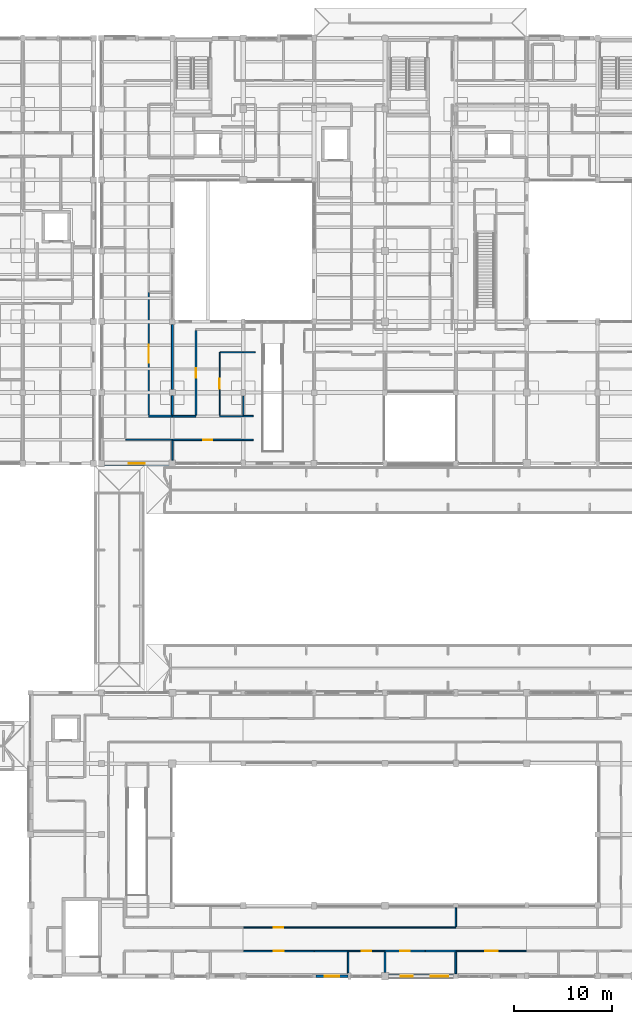
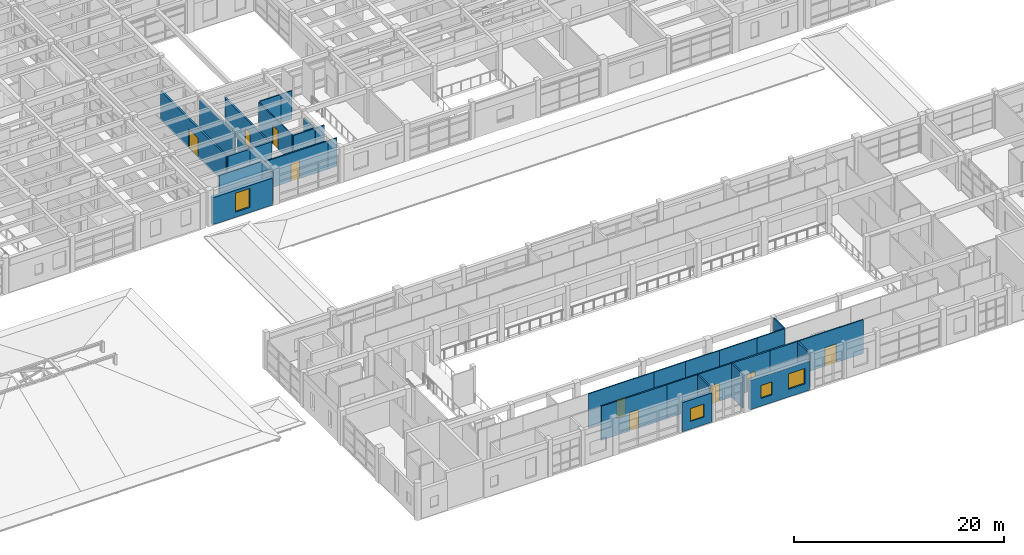
# One storey, part 76 of 110: 34 walls, 9 doors, 4 windows, 13 openings.
"""IFC4 building model written with IfcOpenShell, lengths in metres."""

import ifcopenshell
import ifcopenshell.guid

model = None  # the IFC model being written
_history = None  # IfcOwnerHistory: only IFC2X3 demands one
_inside = {}  # id of a spatial element -> (the spatial element, [elements in it])
_under = {}  # id of a project, library or spatial element -> (it, [spatial elements below it])
_declared = {}  # id of a project -> (the project, [libraries it declares])
_typed = {}  # id of a type object -> (the type object, [elements of that type])
_made_of = {}  # id of a material, layer set ... -> (it, [elements and type objects made of it])


def new_model(schema):
    """Start an empty IFC model of exactly this schema.

    Asked for "IFC4X3", IfcOpenShell would pick the latest addendum, in which some entities
    have other attributes; the version numbers below select the first issue.
    IFC2X3 requires an IfcOwnerHistory on every rooted entity: one is made here for all.
    """
    global model, _history
    if schema == "IFC4X3":
        model = ifcopenshell.file(schema_version=(4, 3, 0, 0))
    else:
        model = ifcopenshell.file(schema=schema)
    _inside.clear()
    _under.clear()
    _declared.clear()
    _typed.clear()
    _made_of.clear()
    _history = None
    if model.schema == "IFC2X3":
        org = make("IfcOrganization", Name="unknown")
        user = make(
            "IfcPersonAndOrganization",
            ThePerson=make("IfcPerson", FamilyName="unknown"),
            TheOrganization=org,
        )
        app = make(
            "IfcApplication",
            ApplicationDeveloper=org,
            Version="unknown",
            ApplicationFullName="unknown",
            ApplicationIdentifier="unknown",
        )
        _history = make(
            "IfcOwnerHistory",
            OwningUser=user,
            OwningApplication=app,
            ChangeAction="ADDED",
            CreationDate=0,
        )
    return model


def make(cls, **values):
    """One entity of the class cls with the attributes given. An attribute that is None is left unset."""
    return model.create_entity(
        cls, **{name: value for name, value in values.items() if value is not None}
    )


def rooted(cls, **values):
    """An entity with a GlobalId (a new one), such as an element, a storey or a relation."""
    return make(cls, GlobalId=ifcopenshell.guid.new(), OwnerHistory=_history, **values)


def si_unit(unit_type, name, prefix=None):
    """IfcSIUnit, for example si_unit("LENGTHUNIT", "METRE", prefix="MILLI")."""
    return make("IfcSIUnit", UnitType=unit_type, Prefix=prefix, Name=name)


def assignment(units):
    """IfcUnitAssignment: the units of a project."""
    return None if units is None else make("IfcUnitAssignment", Units=units)


def point(xyz):
    """IfcCartesianPoint."""
    return None if xyz is None else make("IfcCartesianPoint", Coordinates=xyz)


def direction(xyz):
    """IfcDirection."""
    return None if xyz is None else make("IfcDirection", DirectionRatios=xyz)


def frame(location, z_axis=None, x_axis=None):
    """IfcAxis2Placement3D, a coordinate frame: its origin and axes. An axis left out is left unset."""
    return make(
        "IfcAxis2Placement3D",
        Location=point(location),
        Axis=direction(z_axis),
        RefDirection=direction(x_axis),
    )


def frame_2d(location, x_axis=None):
    """IfcAxis2Placement2D, a coordinate frame in the plane: its origin and x axis."""
    return make(
        "IfcAxis2Placement2D", Location=point(location), RefDirection=direction(x_axis)
    )


def origin():
    """The frame at (0, 0, 0) with its axes left unset."""
    return frame((0.0, 0.0, 0.0))


def place(relative_to, where):
    """IfcLocalPlacement: puts the frame where relative to a parent placement (None: the world)."""
    return make(
        "IfcLocalPlacement", PlacementRelTo=relative_to, RelativePlacement=where
    )


def context(
    kind, dimensions, precision=None, world=None, true_north=None, identifier=None
):
    """IfcGeometricRepresentationContext, for example the 3D "Model" context."""
    return make(
        "IfcGeometricRepresentationContext",
        ContextIdentifier=identifier,
        ContextType=kind,
        CoordinateSpaceDimension=dimensions,
        Precision=precision,
        WorldCoordinateSystem=world,
        TrueNorth=true_north,
    )


def subcontext(parent, identifier, kind, view, scale=None):
    """IfcGeometricRepresentationSubContext, for example "Body" below "Model"."""
    return make(
        "IfcGeometricRepresentationSubContext",
        ContextIdentifier=identifier,
        ContextType=kind,
        ParentContext=parent,
        TargetScale=scale,
        TargetView=view,
    )


def project(units=None, contexts=None):
    """IfcProject with its units and contexts."""
    return rooted(
        "IfcProject",
        Name="project",
        RepresentationContexts=contexts,
        UnitsInContext=assignment(units),
    )


def spatial(cls, under=None, at=None, **own):
    """A site, building, storey or space (cls), placed at a placement, below another one or the project."""
    s = rooted(cls, ObjectPlacement=at, **own)
    if under is not None:
        _under.setdefault(under.id(), (under, []))[1].append(s)
    return s


def profile(cls, at=None, kind="AREA", **sizes):
    """A parametric profile (cls). Its sizes go by their IFC names, for example OverallWidth=200.0."""
    return make(cls, ProfileType=kind, Position=at, **sizes)


def rectangle(**sizes):
    """IfcRectangleProfileDef."""
    return profile("IfcRectangleProfileDef", **sizes)


def extrude(swept, where, along, depth):
    """IfcExtrudedAreaSolid: the profile swept, set in the frame where, extruded along a direction by depth."""
    return make(
        "IfcExtrudedAreaSolid",
        SweptArea=swept,
        Position=where,
        ExtrudedDirection=direction(along),
        Depth=depth,
    )


def shape(context_of_items, identifier, shape_type, items):
    """IfcShapeRepresentation: the items that make up one representation, for example the "Body"."""
    return make(
        "IfcShapeRepresentation",
        ContextOfItems=context_of_items,
        RepresentationIdentifier=identifier,
        RepresentationType=shape_type,
        Items=items,
    )


def material(Name=None, Category=None):
    """IfcMaterial."""
    return make("IfcMaterial", Name=Name, Category=Category)


def layer(
    of_material, thickness, ventilated=None, Name=None, Category=None, Priority=None
):
    """IfcMaterialLayer: one layer of a wall or slab, of a material (None: an air gap)."""
    return make(
        "IfcMaterialLayer",
        Material=of_material,
        LayerThickness=thickness,
        IsVentilated=ventilated,
        Name=Name,
        Category=Category,
        Priority=Priority,
    )


def layer_set(layers, Name=None):
    """IfcMaterialLayerSet."""
    return make("IfcMaterialLayerSet", MaterialLayers=layers, LayerSetName=Name)


def made_of(thing, what):
    """Note that an element or type object is made of a material, layer set ...; save() writes the relation."""
    if what is not None:
        _made_of.setdefault(what.id(), (what, []))[1].append(thing)
    return thing


def type_object(cls, material=None, **own):
    """A type object (cls), such as IfcWallType, which elements share."""
    return made_of(rooted(cls, **own), material)


def element(
    cls,
    number,
    at=None,
    inside=None,
    cuts=None,
    type_object=None,
    material=None,
    context=None,
    identifier="Body",
    shape_type=None,
    held_by="IfcProductDefinitionShape",
    body=None,
    shapes=None,
    **own,
):
    """One element of the class cls, such as IfcWall. Its Tag is "e" and its number.

    at: its placement. inside: the storey or other place that contains it. cuts: it is an
    opening in that element (IfcRelVoidsElement). A single representation is given by context,
    identifier, shape_type and body (its items); several are given by shapes. held_by: the class
    of the entity that holds the representations. save() writes the other relations.
    """
    e = rooted(cls, Tag="e%d" % number, ObjectPlacement=at, **own)
    if body is not None:
        shapes = [shape(context, identifier, shape_type, body)]
    if shapes is not None:
        e.Representation = make(held_by, Representations=shapes)
    if inside is not None:
        _inside.setdefault(inside.id(), (inside, []))[1].append(e)
    if cuts is not None:
        rooted(
            "IfcRelVoidsElement", RelatingBuildingElement=cuts, RelatedOpeningElement=e
        )
    if type_object is not None:
        _typed.setdefault(type_object.id(), (type_object, []))[1].append(e)
    return made_of(e, material)


def fill(opening, filler):
    """IfcRelFillsElement: the door or window that sits in an opening."""
    return rooted(
        "IfcRelFillsElement",
        RelatingOpeningElement=opening,
        RelatedBuildingElement=filler,
    )


def aggregate(whole, parts):
    """IfcRelAggregates: a whole, such as a stair, and the parts it consists of."""
    return rooted("IfcRelAggregates", RelatingObject=whole, RelatedObjects=parts)


def save(model, path):
    """Write the relations noted so far, then the file.

    IfcRelAggregates (storeys below a building ...), IfcRelContainedInSpatialStructure (elements
    in a storey), IfcRelDefinesByType, IfcRelAssociatesMaterial and IfcRelDeclares: one each for
    every whole, place, type object, material and project.
    """
    for whole, parts in _under.values():
        aggregate(whole, parts)
    for where, things in _inside.values():
        rooted(
            "IfcRelContainedInSpatialStructure",
            RelatedElements=things,
            RelatingStructure=where,
        )
    for kind, things in _typed.values():
        rooted("IfcRelDefinesByType", RelatedObjects=things, RelatingType=kind)
    for what, things in _made_of.values():
        rooted("IfcRelAssociatesMaterial", RelatedObjects=things, RelatingMaterial=what)
    for by, libraries in _declared.values():
        rooted("IfcRelDeclares", RelatingContext=by, RelatedDefinitions=libraries)
    model.write(path)


model = new_model("IFC4")

# Units and contexts
model_context = context("Model", 3, precision=1e-05, world=origin(), true_north=direction((0.0, 1.0)))
body_context = subcontext(model_context, "Body", "Model", "MODEL_VIEW")
ifc_project = project(units=[si_unit("LENGTHUNIT", "METRE"), si_unit("AREAUNIT", "SQUARE_METRE"), si_unit("VOLUMEUNIT", "CUBIC_METRE"), si_unit("PLANEANGLEUNIT", "RADIAN"), si_unit("MASSUNIT", "GRAM", prefix="KILO")], contexts=[model_context])

# Site, building, storey
site_placement = place(None, origin())
site = spatial("IfcSite", under=ifc_project, at=site_placement, CompositionType="ELEMENT")
building_placement = place(site_placement, origin())
building = spatial("IfcBuilding", under=site, at=building_placement, Name="Steenspoor Specialist Clinic", CompositionType="ELEMENT")
storey_placement = place(building_placement, frame((0.0, 0.0, 4.800048828125)))
storey = spatial("IfcBuildingStorey", under=building, at=storey_placement, Name="L01", CompositionType="ELEMENT", Elevation=4.800048828125)

# Wall, openings, windows
ifc_material_1 = material(Name="Extruded clay brick masonry", Category="masonry")
ifc_layer_1 = layer(ifc_material_1, 0.3798828125)
ifc_layer_set_1 = layer_set([ifc_layer_1], Name="Extruded clay brick masonry")
wall_type_1 = type_object("IfcWallType", Name="W-BRICK-380", PredefinedType="USERDEFINED", material=ifc_layer_set_1)
wall_1_placement = place(storey_placement, frame((88.14990234375, 13.050048828125, 0.0), z_axis=(0.0, 0.0, 1.0), x_axis=(-1.0, 0.0, 0.0)))
wall_1 = element("IfcWall", 1, at=wall_1_placement, inside=storey, type_object=wall_type_1, Name="Exterior Brick Wall EW-V1-L01-0021", ObjectType="CAVITY VENEER", PredefinedType="USERDEFINED", context=body_context, shape_type="SweptSolid", body=[
    extrude(rectangle(XDim=6.574951171875, YDim=0.3798828125, at=frame_2d((3.28759765625, 0.0))), origin(), (0.0, 0.0, 1.0), 3.3798828125),
])
opening_1_placement = place(wall_1_placement, frame((0.514892578125, 0.0, 0.89990234375)))
opening_1 = element("IfcOpeningElement", 2, at=opening_1_placement, cuts=wall_1, Name="Opening WN-08", PredefinedType="OPENING", context=body_context, shape_type="SweptSolid", body=[
    extrude(rectangle(XDim=1.800048828125, YDim=1.800048828125, at=frame_2d((0.89990234375, 0.89990234375))), frame((0.0, 0.199951171875, 0.0), z_axis=(0.0, -1.0, 0.0), x_axis=(1.0, 0.0, 0.0)), (0.0, 0.0, 1.0), 0.39990234375),
])
opening_2_placement = place(wall_1_placement, frame((4.12255859375, 0.0, 0.89990234375)))
opening_2 = element("IfcOpeningElement", 3, at=opening_2_placement, cuts=wall_1, Name="Opening WN-11", PredefinedType="OPENING", context=body_context, shape_type="SweptSolid", body=[
    extrude(rectangle(XDim=1.199951171875, YDim=1.5, at=frame_2d((0.60009765625, 0.75))), frame((0.0, 0.199951171875, 0.0), z_axis=(0.0, -1.0, 0.0), x_axis=(1.0, 0.0, 0.0)), (0.0, 0.0, 1.0), 0.39990234375),
])
ifc_material_2 = material(Name="Thermally broken aluminium and low-emissivity glass", Category="aluminium")
window_type_1 = type_object("IfcWindowType", Name="WN-EXT-120X150", PartitioningType="SINGLE_PANEL", PredefinedType="WINDOW", material=ifc_material_2)
window_1_placement = place(opening_2_placement, origin())
window_1 = element("IfcWindow", 4, at=window_1_placement, inside=storey, type_object=window_type_1, Name="Window 0024", OverallHeight=1.5, OverallWidth=1.199951171875, PartitioningType="SINGLE_PANEL", PredefinedType="WINDOW", context=body_context, shape_type="SweptSolid", body=[
    extrude(rectangle(XDim=1.199951171875, YDim=1.5, at=frame_2d((0.60009765625, 0.75))), frame((0.0, 0.030029296875, 0.0), z_axis=(0.0, -1.0, 0.0), x_axis=(1.0, 0.0, 0.0)), (0.0, 0.0, 1.0), 0.06005859375),
])
fill(opening_2, window_1)
window_type_2 = type_object("IfcWindowType", Name="WN-EXT-180X180", PartitioningType="SINGLE_PANEL", PredefinedType="WINDOW", material=ifc_material_2)
window_2_placement = place(opening_1_placement, origin())
window_2 = element("IfcWindow", 5, at=window_2_placement, inside=storey, type_object=window_type_2, Name="Window 0023", OverallHeight=1.800048828125, OverallWidth=1.800048828125, PartitioningType="SINGLE_PANEL", PredefinedType="WINDOW", context=body_context, shape_type="SweptSolid", body=[
    extrude(rectangle(XDim=1.800048828125, YDim=1.800048828125, at=frame_2d((0.89990234375, 0.89990234375))), frame((0.0, 0.030029296875, 0.0), z_axis=(0.0, -1.0, 0.0), x_axis=(1.0, 0.0, 0.0)), (0.0, 0.0, 1.0), 0.06005859375),
])
fill(opening_1, window_2)

# Wall, opening, window
wall_2_placement = place(storey_placement, frame((59.27490234375, 65.14990234375, 0.0), z_axis=(0.0, 0.0, 1.0), x_axis=(-1.0, 0.0, 0.0)))
wall_2 = element("IfcWall", 6, at=wall_2_placement, inside=storey, type_object=wall_type_1, Name="Exterior Brick Wall EW-V4-L01-0113", ObjectType="CAVITY VENEER", PredefinedType="USERDEFINED", context=body_context, shape_type="SweptSolid", body=[
    extrude(rectangle(XDim=6.574951171875, YDim=0.3798828125, at=frame_2d((3.28759765625, 0.0))), origin(), (0.0, 0.0, 1.0), 3.1298828125),
])
opening_3_placement = place(wall_2_placement, frame((2.487548828125, 0.0, 0.60009765625)))
opening_3 = element("IfcOpeningElement", 7, at=opening_3_placement, cuts=wall_2, Name="Opening WN-16", PredefinedType="OPENING", context=body_context, shape_type="SweptSolid", body=[
    extrude(rectangle(XDim=1.60009765625, YDim=2.199951171875, at=frame_2d((0.800048828125, 1.10009765625))), frame((0.0, 0.199951171875, 0.0), z_axis=(0.0, -1.0, 0.0), x_axis=(1.0, 0.0, 0.0)), (0.0, 0.0, 1.0), 0.39990234375),
])
window_type_3 = type_object("IfcWindowType", Name="WN-EXT-160X220", PartitioningType="SINGLE_PANEL", PredefinedType="WINDOW", material=ifc_material_2)
window_3_placement = place(opening_3_placement, origin())
window_3 = element("IfcWindow", 8, at=window_3_placement, inside=storey, type_object=window_type_3, Name="Window 0135", OverallHeight=2.199951171875, OverallWidth=1.60009765625, PartitioningType="SINGLE_PANEL", PredefinedType="WINDOW", context=body_context, shape_type="SweptSolid", body=[
    extrude(rectangle(XDim=1.60009765625, YDim=2.199951171875, at=frame_2d((0.800048828125, 1.10009765625))), frame((0.0, 0.030029296875, 0.0), z_axis=(0.0, -1.0, 0.0), x_axis=(1.0, 0.0, 0.0)), (0.0, 0.0, 1.0), 0.06005859375),
])
fill(opening_3, window_3)

# Wall, opening, door
ifc_material_3 = material(Name="Gypsum acoustic clinical partition", Category="gypsum")
ifc_layer_2 = layer(ifc_material_3, 0.14990234375)
ifc_layer_set_2 = layer_set([ifc_layer_2], Name="Gypsum acoustic clinical partition")
wall_type_2 = type_object("IfcWallType", Name="W-CLIN-150", PredefinedType="PARTITIONING", material=ifc_layer_set_2)
wall_3_placement = place(storey_placement, frame((66.81494140625, 15.610107421875, 0.0), z_axis=(0.0, 0.0, 1.0), x_axis=(1.0, 0.0, 0.0)))
wall_3 = element("IfcWall", 9, at=wall_3_placement, inside=storey, type_object=wall_type_2, Name="Interior Partition IW-V1-L01-0829", PredefinedType="PARTITIONING", context=body_context, shape_type="SweptSolid", body=[
    extrude(rectangle(XDim=7.18505859375, YDim=0.14990234375, at=frame_2d((3.592529296875, 0.0))), origin(), (0.0, 0.0, 1.0), 3.949951171875),
])
opening_4_placement = place(wall_3_placement, frame((3.092529296875, 0.0, 0.0)))
opening_4 = element("IfcOpeningElement", 10, at=opening_4_placement, cuts=wall_3, Name="Opening D0053", PredefinedType="OPENING", context=body_context, shape_type="SweptSolid", body=[
    extrude(rectangle(XDim=1.0, YDim=2.14990234375, at=frame_2d((0.5, 1.074951171875))), frame((0.0, 0.0849609375, 0.0), z_axis=(0.0, -1.0, 0.0), x_axis=(1.0, 0.0, 0.0)), (0.0, 0.0, 1.0), 0.169921875),
])
ifc_material_4 = material(Name="Moisture-resistant HPL accessible WC door", Category="wood")
door_type_1 = type_object("IfcDoorType", Name="DT-AWC-100X215", OperationType="NOTDEFINED", PredefinedType="DOOR", material=ifc_material_4)
door_1_placement = place(opening_4_placement, origin())
door_1 = element("IfcDoor", 11, at=door_1_placement, inside=storey, type_object=door_type_1, Name="Clinical Door D0053", OperationType="SINGLE_SWING_RIGHT", OverallHeight=2.14990234375, OverallWidth=1.0, PredefinedType="DOOR", context=body_context, shape_type="SweptSolid", body=[
    extrude(rectangle(XDim=1.0, YDim=2.14990234375, at=frame_2d((0.5, 1.074951171875))), frame((0.0, 0.02490234375, 0.0), z_axis=(0.0, -1.0, 0.0), x_axis=(1.0, 0.0, 0.0)), (0.0, 0.0, 1.0), 0.050048828125),
])
fill(opening_4, door_1)

# Walls
wall_4_placement = place(storey_placement, frame((74.014892578125, 15.610107421875, 0.0), z_axis=(0.0, 0.0, 1.0), x_axis=(1.0, 0.0, 0.0)))
element("IfcWall", 12, at=wall_4_placement, inside=storey, type_object=wall_type_2, Name="Interior Partition IW-V1-L01-0830", PredefinedType="PARTITIONING", context=body_context, shape_type="SweptSolid", body=[
    extrude(rectangle(XDim=3.43505859375, YDim=0.14990234375, at=frame_2d((1.717529296875, 0.0))), origin(), (0.0, 0.0, 1.0), 3.949951171875),
])
for number, where, z_axis, x_axis, name in (
    (13, (66.800048828125, 67.550048828125, 0.0), (0.0, 0.0, 1.0), (1.0, 0.0, 0.0), "Interior Partition IW-V4-L01-0880"),
    (14, (66.800048828125, 69.949951171875, 0.0), (0.0, 0.0, 1.0), (1.0, 0.0, 0.0), "Interior Partition IW-V4-L01-0881"),
):
    element("IfcWall", number, at=place(storey_placement, frame(where, z_axis=z_axis, x_axis=x_axis)), inside=storey, type_object=wall_type_2, Name=name, PredefinedType="PARTITIONING", context=body_context, shape_type="SweptSolid", body=[
        extrude(rectangle(XDim=1.0, YDim=0.14990234375, at=frame_2d((0.5, 0.0))), origin(), (0.0, 0.0, 1.0), 3.284912109375),
    ])

# Wall, opening, door
wall_5_placement = place(storey_placement, frame((59.60009765625, 67.550048828125, 0.0), z_axis=(0.0, 0.0, 1.0), x_axis=(1.0, 0.0, 0.0)))
wall_5 = element("IfcWall", 15, at=wall_5_placement, inside=storey, type_object=wall_type_2, Name="Interior Partition IW-V4-L01-0882", PredefinedType="PARTITIONING", context=body_context, shape_type="SweptSolid", body=[
    extrude(rectangle(XDim=7.184814453125, YDim=0.14990234375, at=frame_2d((3.59228515625, 0.0))), origin(), (0.0, 0.0, 1.0), 3.284912109375),
])
opening_5_placement = place(wall_5_placement, frame((3.117431640625, 0.0, 0.0)))
opening_5 = element("IfcOpeningElement", 16, at=opening_5_placement, cuts=wall_5, Name="Opening D0192", PredefinedType="OPENING", context=body_context, shape_type="SweptSolid", body=[
    extrude(rectangle(XDim=0.949951171875, YDim=2.10009765625, at=frame_2d((0.47509765625, 1.050048828125))), frame((0.0, 0.0849609375, 0.0), z_axis=(0.0, -1.0, 0.0), x_axis=(1.0, 0.0, 0.0)), (0.0, 0.0, 1.0), 0.169921875),
])
ifc_material_5 = material(Name="Moisture-resistant HPL sanitary door", Category="wood")
door_type_2 = type_object("IfcDoorType", Name="DT-WC-095X210", OperationType="NOTDEFINED", PredefinedType="DOOR", material=ifc_material_5)
door_2_placement = place(opening_5_placement, origin())
door_2 = element("IfcDoor", 17, at=door_2_placement, inside=storey, type_object=door_type_2, Name="Clinical Door D0192", OperationType="SINGLE_SWING_LEFT", OverallHeight=2.10009765625, OverallWidth=0.949951171875, PredefinedType="DOOR", context=body_context, shape_type="SweptSolid", body=[
    extrude(rectangle(XDim=0.949951171875, YDim=2.10009765625, at=frame_2d((0.47509765625, 1.050048828125))), frame((0.0, 0.02490234375, 0.0), z_axis=(0.0, -1.0, 0.0), x_axis=(1.0, 0.0, 0.0)), (0.0, 0.0, 1.0), 0.050048828125),
])
fill(opening_5, door_2)

# Walls
wall_6_placement = place(storey_placement, frame((77.449951171875, 13.375, 0.0), z_axis=(0.0, 0.0, 1.0), x_axis=(0.0, 1.0, 0.0)))
element("IfcWall", 18, at=wall_6_placement, inside=storey, type_object=wall_type_2, Name="Interior Partition IW-V1-L01-1150", PredefinedType="PARTITIONING", context=body_context, shape_type="SweptSolid", body=[
    extrude(rectangle(XDim=2.14501953125, YDim=0.14990234375, at=frame_2d((1.072509765625, 0.0))), origin(), (0.0, 0.0, 1.0), 3.949951171875),
])
wall_7_placement = place(storey_placement, frame((88.39990234375, 18.10009765625, 0.0), z_axis=(0.0, 0.0, 1.0), x_axis=(0.0, 1.0, 0.0)))
element("IfcWall", 19, at=wall_7_placement, inside=storey, type_object=wall_type_2, Name="Interior Partition IW-V1-L01-1157", PredefinedType="PARTITIONING", context=body_context, shape_type="SweptSolid", body=[
    extrude(rectangle(XDim=1.909912109375, YDim=0.14990234375, at=frame_2d((0.955078125, 0.0))), origin(), (0.0, 0.0, 1.0), 3.949951171875),
])
wall_8_placement = place(storey_placement, frame((59.60009765625, 65.489990234375, 0.0), z_axis=(0.0, 0.0, 1.0), x_axis=(0.0, 1.0, 0.0)))
element("IfcWall", 20, at=wall_8_placement, inside=storey, type_object=wall_type_2, Name="Interior Partition IW-V4-L01-1180", PredefinedType="PARTITIONING", context=body_context, shape_type="SweptSolid", body=[
    extrude(rectangle(XDim=1.969970703125, YDim=0.14990234375, at=frame_2d((0.98486328125, 0.0))), origin(), (0.0, 0.0, 1.0), 3.4150390625),
])
wall_9_placement = place(storey_placement, frame((66.800048828125, 70.0400390625, 0.0), z_axis=(0.0, 0.0, 1.0), x_axis=(0.0, 1.0, 0.0)))
element("IfcWall", 21, at=wall_9_placement, inside=storey, type_object=wall_type_2, Name="Interior Partition IW-V4-L01-1182", PredefinedType="PARTITIONING", context=body_context, shape_type="SweptSolid", body=[
    extrude(rectangle(XDim=1.9599609375, YDim=0.14990234375, at=frame_2d((0.97998046875, 0.0))), origin(), (0.0, 0.0, 1.0), 3.284912109375),
])

# Wall, opening, door
ifc_material_6 = material(Name="Gypsum studio partition board", Category="gypsum")
ifc_layer_3 = layer(ifc_material_6, 0.1201171875)
ifc_layer_set_3 = layer_set([ifc_layer_3], Name="Gypsum studio partition board")
wall_type_3 = type_object("IfcWallType", Name="W-PART-120", PredefinedType="PARTITIONING", material=ifc_layer_set_3)
wall_10_placement = place(storey_placement, frame((77.465087890625, 15.610107421875, 0.0), z_axis=(0.0, 0.0, 1.0), x_axis=(1.0, 0.0, 0.0)))
wall_10 = element("IfcWall", 22, at=wall_10_placement, inside=storey, type_object=wall_type_3, Name="Interior Partition IW-V1-L01-0936", PredefinedType="PARTITIONING", context=body_context, shape_type="SweptSolid", body=[
    extrude(rectangle(XDim=3.719970703125, YDim=0.1201171875, at=frame_2d((1.85986328125, 0.0))), origin(), (0.0, 0.0, 1.0), 3.949951171875),
])
opening_6_placement = place(wall_10_placement, frame((1.385009765625, 0.0, 0.0)))
opening_6 = element("IfcOpeningElement", 23, at=opening_6_placement, cuts=wall_10, Name="Opening D0054", PredefinedType="OPENING", context=body_context, shape_type="SweptSolid", body=[
    extrude(rectangle(XDim=0.949951171875, YDim=2.10009765625, at=frame_2d((0.47509765625, 1.050048828125))), frame((0.0, 0.070068359375, 0.0), z_axis=(0.0, -1.0, 0.0), x_axis=(1.0, 0.0, 0.0)), (0.0, 0.0, 1.0), 0.14013671875),
])
door_3_placement = place(opening_6_placement, origin())
door_3 = element("IfcDoor", 24, at=door_3_placement, inside=storey, type_object=door_type_2, Name="Clinical Door D0054", OperationType="SINGLE_SWING_LEFT", OverallHeight=2.10009765625, OverallWidth=0.949951171875, PredefinedType="DOOR", context=body_context, shape_type="SweptSolid", body=[
    extrude(rectangle(XDim=0.949951171875, YDim=2.10009765625, at=frame_2d((0.47509765625, 1.050048828125))), frame((0.0, 0.02490234375, 0.0), z_axis=(0.0, -1.0, 0.0), x_axis=(1.0, 0.0, 0.0)), (0.0, 0.0, 1.0), 0.050048828125),
])
fill(opening_6, door_3)

wall_11_placement = place(storey_placement, frame((88.4150390625, 15.610107421875, 0.0), z_axis=(0.0, 0.0, 1.0), x_axis=(1.0, 0.0, 0.0)))
wall_11 = element("IfcWall", 25, at=wall_11_placement, inside=storey, type_object=wall_type_3, Name="Interior Partition IW-V1-L01-0937", PredefinedType="PARTITIONING", context=body_context, shape_type="SweptSolid", body=[
    extrude(rectangle(XDim=7.18505859375, YDim=0.1201171875, at=frame_2d((3.592529296875, 0.0))), origin(), (0.0, 0.0, 1.0), 3.949951171875),
])
opening_7_placement = place(wall_11_placement, frame((2.967529296875, 0.0, 0.0)))
opening_7 = element("IfcOpeningElement", 26, at=opening_7_placement, cuts=wall_11, Name="Opening D0056", PredefinedType="OPENING", context=body_context, shape_type="SweptSolid", body=[
    extrude(rectangle(XDim=1.25, YDim=2.14990234375, at=frame_2d((0.625, 1.074951171875))), frame((0.0, 0.070068359375, 0.0), z_axis=(0.0, -1.0, 0.0), x_axis=(1.0, 0.0, 0.0)), (0.0, 0.0, 1.0), 0.14013671875),
])
ifc_material_7 = material(Name="Hygienic HPL clinical timber door", Category="wood")
door_type_3 = type_object("IfcDoorType", Name="DT-EXAM-125X215", OperationType="NOTDEFINED", PredefinedType="DOOR", material=ifc_material_7)
door_4_placement = place(opening_7_placement, origin())
door_4 = element("IfcDoor", 27, at=door_4_placement, inside=storey, type_object=door_type_3, Name="Clinical Door D0056", OperationType="SINGLE_SWING_LEFT", OverallHeight=2.14990234375, OverallWidth=1.25, PredefinedType="DOOR", context=body_context, shape_type="SweptSolid", body=[
    extrude(rectangle(XDim=1.25, YDim=2.14990234375, at=frame_2d((0.625, 1.074951171875))), frame((0.0, 0.02490234375, 0.0), z_axis=(0.0, -1.0, 0.0), x_axis=(1.0, 0.0, 0.0)), (0.0, 0.0, 1.0), 0.050048828125),
])
fill(opening_7, door_4)

# Walls
wall_12_placement = place(storey_placement, frame((85.300048828125, 18.010009765625, 0.0), z_axis=(0.0, 0.0, 1.0), x_axis=(1.0, 0.0, 0.0)))
element("IfcWall", 28, at=wall_12_placement, inside=storey, type_object=wall_type_3, Name="Interior Partition IW-V1-L01-0939", PredefinedType="PARTITIONING", context=body_context, shape_type="SweptSolid", body=[
    extrude(rectangle(XDim=3.0849609375, YDim=0.1201171875, at=frame_2d((1.54248046875, 0.0))), origin(), (0.0, 0.0, 1.0), 3.949951171875),
])
wall_13_placement = place(storey_placement, frame((81.199951171875, 18.010009765625, 0.0), z_axis=(0.0, 0.0, 1.0), x_axis=(1.0, 0.0, 0.0)))
element("IfcWall", 29, at=wall_13_placement, inside=storey, type_object=wall_type_3, Name="Interior Partition IW-V1-L01-0940", PredefinedType="PARTITIONING", context=body_context, shape_type="SweptSolid", body=[
    extrude(rectangle(XDim=4.0849609375, YDim=0.1201171875, at=frame_2d((2.04248046875, 0.0))), origin(), (0.0, 0.0, 1.0), 3.949951171875),
])
wall_14_placement = place(storey_placement, frame((77.449951171875, 18.010009765625, 0.0), z_axis=(0.0, 0.0, 1.0), x_axis=(1.0, 0.0, 0.0)))
element("IfcWall", 30, at=wall_14_placement, inside=storey, type_object=wall_type_3, Name="Interior Partition IW-V1-L01-0941", PredefinedType="PARTITIONING", context=body_context, shape_type="SweptSolid", body=[
    extrude(rectangle(XDim=3.735107421875, YDim=0.1201171875, at=frame_2d((1.86767578125, 0.0))), origin(), (0.0, 0.0, 1.0), 3.949951171875),
])
wall_15_placement = place(storey_placement, frame((74.0, 18.010009765625, 0.0), z_axis=(0.0, 0.0, 1.0), x_axis=(1.0, 0.0, 0.0)))
element("IfcWall", 31, at=wall_15_placement, inside=storey, type_object=wall_type_3, Name="Interior Partition IW-V1-L01-0942", PredefinedType="PARTITIONING", context=body_context, shape_type="SweptSolid", body=[
    extrude(rectangle(XDim=3.43505859375, YDim=0.1201171875, at=frame_2d((1.717529296875, 0.0))), origin(), (0.0, 0.0, 1.0), 3.949951171875),
])

# Wall, opening, door
wall_16_placement = place(storey_placement, frame((66.800048828125, 18.010009765625, 0.0), z_axis=(0.0, 0.0, 1.0), x_axis=(1.0, 0.0, 0.0)))
wall_16 = element("IfcWall", 32, at=wall_16_placement, inside=storey, type_object=wall_type_3, Name="Interior Partition IW-V1-L01-0943", PredefinedType="PARTITIONING", context=body_context, shape_type="SweptSolid", body=[
    extrude(rectangle(XDim=7.18505859375, YDim=0.1201171875, at=frame_2d((3.592529296875, 0.0))), origin(), (0.0, 0.0, 1.0), 3.949951171875),
])
opening_8_placement = place(wall_16_placement, frame((3.117431640625, 0.0, 0.0)))
opening_8 = element("IfcOpeningElement", 33, at=opening_8_placement, cuts=wall_16, Name="Opening D0060", PredefinedType="OPENING", context=body_context, shape_type="SweptSolid", body=[
    extrude(rectangle(XDim=0.949951171875, YDim=2.10009765625, at=frame_2d((0.47509765625, 1.050048828125))), frame((0.0, 0.070068359375, 0.0), z_axis=(0.0, -1.0, 0.0), x_axis=(1.0, 0.0, 0.0)), (0.0, 0.0, 1.0), 0.14013671875),
])
door_5_placement = place(opening_8_placement, origin())
door_5 = element("IfcDoor", 34, at=door_5_placement, inside=storey, type_object=door_type_2, Name="Clinical Door D0060", OperationType="SINGLE_SWING_LEFT", OverallHeight=2.10009765625, OverallWidth=0.949951171875, PredefinedType="DOOR", context=body_context, shape_type="SweptSolid", body=[
    extrude(rectangle(XDim=0.949951171875, YDim=2.10009765625, at=frame_2d((0.47509765625, 1.050048828125))), frame((0.0, 0.02490234375, 0.0), z_axis=(0.0, -1.0, 0.0), x_axis=(1.0, 0.0, 0.0)), (0.0, 0.0, 1.0), 0.050048828125),
])
fill(opening_8, door_5)

# Walls
wall_17_placement = place(storey_placement, frame((54.875, 67.550048828125, 0.0), z_axis=(0.0, 0.0, 1.0), x_axis=(1.0, 0.0, 0.0)))
element("IfcWall", 35, at=wall_17_placement, inside=storey, type_object=wall_type_3, Name="Interior Partition IW-V4-L01-0976", PredefinedType="PARTITIONING", context=body_context, shape_type="SweptSolid", body=[
    extrude(rectangle(XDim=4.7099609375, YDim=0.1201171875, at=frame_2d((2.35498046875, 0.0))), origin(), (0.0, 0.0, 1.0), 3.4150390625),
])
wall_18_placement = place(storey_placement, frame((66.800048828125, 76.449951171875, 0.0), z_axis=(0.0, 0.0, 1.0), x_axis=(1.0, 0.0, 0.0)))
element("IfcWall", 36, at=wall_18_placement, inside=storey, type_object=wall_type_3, Name="Interior Partition IW-V4-L01-0984", PredefinedType="PARTITIONING", context=body_context, shape_type="SweptSolid", body=[
    extrude(rectangle(XDim=1.199951171875, YDim=0.1201171875, at=frame_2d((0.60009765625, 0.0))), origin(), (0.0, 0.0, 1.0), 3.284912109375),
])
wall_19_placement = place(storey_placement, frame((64.39990234375, 69.949951171875, 0.0), z_axis=(0.0, 0.0, 1.0), x_axis=(1.0, 0.0, 0.0)))
element("IfcWall", 37, at=wall_19_placement, inside=storey, type_object=wall_type_3, Name="Interior Partition IW-V4-L01-0986", PredefinedType="PARTITIONING", context=body_context, shape_type="SweptSolid", body=[
    extrude(rectangle(XDim=2.385009765625, YDim=0.1201171875, at=frame_2d((1.1923828125, 0.0))), origin(), (0.0, 0.0, 1.0), 3.284912109375),
])

# Wall, opening, door
wall_20_placement = place(storey_placement, frame((64.39990234375, 70.02490234375, 0.0), z_axis=(0.0, 0.0, 1.0), x_axis=(0.0, 1.0, 0.0)))
wall_20 = element("IfcWall", 38, at=wall_20_placement, inside=storey, type_object=wall_type_3, Name="Interior Partition IW-V4-L01-0987", PredefinedType="PARTITIONING", context=body_context, shape_type="SweptSolid", body=[
    extrude(rectangle(XDim=6.425048828125, YDim=0.1201171875, at=frame_2d((3.21240234375, 0.0))), origin(), (0.0, 0.0, 1.0), 3.21484375),
])
opening_9_placement = place(wall_20_placement, frame((2.71240234375, 0.0, 0.0)))
opening_9 = element("IfcOpeningElement", 39, at=opening_9_placement, cuts=wall_20, Name="Opening D0203", PredefinedType="OPENING", context=body_context, shape_type="SweptSolid", body=[
    extrude(rectangle(XDim=1.0, YDim=2.14990234375, at=frame_2d((0.5, 1.074951171875))), frame((0.0, 0.070068359375, 0.0), z_axis=(0.0, -1.0, 0.0), x_axis=(1.0, 0.0, 0.0)), (0.0, 0.0, 1.0), 0.14013671875),
])
door_6_placement = place(opening_9_placement, origin())
door_6 = element("IfcDoor", 40, at=door_6_placement, inside=storey, type_object=door_type_1, Name="Clinical Door D0203", OperationType="SINGLE_SWING_RIGHT", OverallHeight=2.14990234375, OverallWidth=1.0, PredefinedType="DOOR", context=body_context, shape_type="SweptSolid", body=[
    extrude(rectangle(XDim=1.0, YDim=2.14990234375, at=frame_2d((0.5, 1.074951171875))), frame((0.0, 0.02490234375, 0.0), z_axis=(0.0, -1.0, 0.0), x_axis=(1.0, 0.0, 0.0)), (0.0, 0.0, 1.0), 0.050048828125),
])
fill(opening_9, door_6)

# Wall
wall_21_placement = place(storey_placement, frame((64.47509765625, 76.449951171875, 0.0), z_axis=(0.0, 0.0, 1.0), x_axis=(1.0, 0.0, 0.0)))
element("IfcWall", 41, at=wall_21_placement, inside=storey, type_object=wall_type_3, Name="Interior Partition IW-V4-L01-0988", PredefinedType="PARTITIONING", context=body_context, shape_type="SweptSolid", body=[
    extrude(rectangle(XDim=2.309814453125, YDim=0.1201171875, at=frame_2d((1.15478515625, 0.0))), origin(), (0.0, 0.0, 1.0), 3.284912109375),
])

# Wall, opening, door
ifc_material_8 = material(Name="Moisture-resistant gypsum plumbing wall", Category="gypsum")
ifc_layer_4 = layer(ifc_material_8, 0.179931640625)
ifc_layer_set_4 = layer_set([ifc_layer_4], Name="Moisture-resistant gypsum plumbing wall")
wall_type_4 = type_object("IfcWallType", Name="W-PLUMB-180", PredefinedType="PLUMBINGWALL", material=ifc_layer_set_4)
wall_22_placement = place(storey_placement, frame((81.199951171875, 15.610107421875, 0.0), z_axis=(0.0, 0.0, 1.0), x_axis=(1.0, 0.0, 0.0)))
wall_22 = element("IfcWall", 42, at=wall_22_placement, inside=storey, type_object=wall_type_4, Name="Interior Partition IW-V1-L01-0738", PredefinedType="PLUMBINGWALL", context=body_context, shape_type="SweptSolid", body=[
    extrude(rectangle(XDim=4.10009765625, YDim=0.179931640625, at=frame_2d((2.050048828125, 0.0))), origin(), (0.0, 0.0, 1.0), 3.949951171875),
])
opening_10_placement = place(wall_22_placement, frame((1.574951171875, 0.0, 0.0)))
opening_10 = element("IfcOpeningElement", 43, at=opening_10_placement, cuts=wall_22, Name="Opening D0055", PredefinedType="OPENING", context=body_context, shape_type="SweptSolid", body=[
    extrude(rectangle(XDim=0.949951171875, YDim=2.10009765625, at=frame_2d((0.47509765625, 1.050048828125))), frame((0.0, 0.10009765625, 0.0), z_axis=(0.0, -1.0, 0.0), x_axis=(1.0, 0.0, 0.0)), (0.0, 0.0, 1.0), 0.199951171875),
])
door_7_placement = place(opening_10_placement, origin())
door_7 = element("IfcDoor", 44, at=door_7_placement, inside=storey, type_object=door_type_2, Name="Clinical Door D0055", OperationType="SINGLE_SWING_RIGHT", OverallHeight=2.10009765625, OverallWidth=0.949951171875, PredefinedType="DOOR", context=body_context, shape_type="SweptSolid", body=[
    extrude(rectangle(XDim=0.949951171875, YDim=2.10009765625, at=frame_2d((0.47509765625, 1.050048828125))), frame((0.0, 0.02490234375, 0.0), z_axis=(0.0, -1.0, 0.0), x_axis=(1.0, 0.0, 0.0)), (0.0, 0.0, 1.0), 0.050048828125),
])
fill(opening_10, door_7)

# Walls
wall_23_placement = place(storey_placement, frame((85.31494140625, 15.610107421875, 0.0), z_axis=(0.0, 0.0, 1.0), x_axis=(1.0, 0.0, 0.0)))
element("IfcWall", 45, at=wall_23_placement, inside=storey, type_object=wall_type_4, Name="Interior Partition IW-V1-L01-0739", PredefinedType="PLUMBINGWALL", context=body_context, shape_type="SweptSolid", body=[
    extrude(rectangle(XDim=3.0849609375, YDim=0.179931640625, at=frame_2d((1.54248046875, 0.0))), origin(), (0.0, 0.0, 1.0), 3.949951171875),
])
wall_24_placement = place(storey_placement, frame((59.60009765625, 69.949951171875, 0.0), z_axis=(0.0, 0.0, 1.0), x_axis=(1.0, 0.0, 0.0)))
element("IfcWall", 46, at=wall_24_placement, inside=storey, type_object=wall_type_4, Name="Interior Partition IW-V4-L01-0760", PredefinedType="PLUMBINGWALL", context=body_context, shape_type="SweptSolid", body=[
    extrude(rectangle(XDim=2.39990234375, YDim=0.179931640625, at=frame_2d((1.199951171875, 0.0))), origin(), (0.0, 0.0, 1.0), 3.4150390625),
])

# Wall, opening, door
wall_25_placement = place(storey_placement, frame((62.0, 70.054931640625, 0.0), z_axis=(0.0, 0.0, 1.0), x_axis=(0.0, 1.0, 0.0)))
wall_25 = element("IfcWall", 47, at=wall_25_placement, inside=storey, type_object=wall_type_4, Name="Interior Partition IW-V4-L01-0762", PredefinedType="PLUMBINGWALL", context=body_context, shape_type="SweptSolid", body=[
    extrude(rectangle(XDim=8.590087890625, YDim=0.179931640625, at=frame_2d((4.294921875, 0.0))), origin(), (0.0, 0.0, 1.0), 3.21484375),
])
opening_11_placement = place(wall_25_placement, frame((3.820068359375, 0.0, 0.0)))
opening_11 = element("IfcOpeningElement", 48, at=opening_11_placement, cuts=wall_25, Name="Opening D0202", PredefinedType="OPENING", context=body_context, shape_type="SweptSolid", body=[
    extrude(rectangle(XDim=0.949951171875, YDim=2.10009765625, at=frame_2d((0.47509765625, 1.050048828125))), frame((0.0, 0.10009765625, 0.0), z_axis=(0.0, -1.0, 0.0), x_axis=(1.0, 0.0, 0.0)), (0.0, 0.0, 1.0), 0.199951171875),
])
door_8_placement = place(opening_11_placement, origin())
door_8 = element("IfcDoor", 49, at=door_8_placement, inside=storey, type_object=door_type_2, Name="Clinical Door D0202", OperationType="SINGLE_SWING_LEFT", OverallHeight=2.10009765625, OverallWidth=0.949951171875, PredefinedType="DOOR", context=body_context, shape_type="SweptSolid", body=[
    extrude(rectangle(XDim=0.949951171875, YDim=2.10009765625, at=frame_2d((0.47509765625, 1.050048828125))), frame((0.0, 0.02490234375, 0.0), z_axis=(0.0, -1.0, 0.0), x_axis=(1.0, 0.0, 0.0)), (0.0, 0.0, 1.0), 0.050048828125),
])
fill(opening_11, door_8)

# Walls
wall_26_placement = place(storey_placement, frame((81.199951171875, 13.43994140625, 0.0), z_axis=(0.0, 0.0, 1.0), x_axis=(0.0, 1.0, 0.0)))
element("IfcWall", 50, at=wall_26_placement, inside=storey, type_object=wall_type_4, Name="Interior Partition IW-V1-L01-1072", PredefinedType="PLUMBINGWALL", context=body_context, shape_type="SweptSolid", body=[
    extrude(rectangle(XDim=2.06494140625, YDim=0.179931640625, at=frame_2d((1.032470703125, 0.0))), origin(), (0.0, 0.0, 1.0), 3.949951171875),
])
wall_27_placement = place(storey_placement, frame((88.39990234375, 13.31494140625, 0.0), z_axis=(0.0, 0.0, 1.0), x_axis=(0.0, 1.0, 0.0)))
element("IfcWall", 51, at=wall_27_placement, inside=storey, type_object=wall_type_4, Name="Interior Partition IW-V1-L01-1073", PredefinedType="PLUMBINGWALL", context=body_context, shape_type="SweptSolid", body=[
    extrude(rectangle(XDim=2.18994140625, YDim=0.179931640625, at=frame_2d((1.094970703125, 0.0))), origin(), (0.0, 0.0, 1.0), 3.949951171875),
])
wall_28_placement = place(storey_placement, frame((59.60009765625, 70.054931640625, 0.0), z_axis=(0.0, 0.0, 1.0), x_axis=(0.0, 1.0, 0.0)))
element("IfcWall", 52, at=wall_28_placement, inside=storey, type_object=wall_type_4, Name="Interior Partition IW-V4-L01-1093", PredefinedType="PLUMBINGWALL", context=body_context, shape_type="SweptSolid", body=[
    extrude(rectangle(XDim=1.97998046875, YDim=0.179931640625, at=frame_2d((0.989990234375, 0.0))), origin(), (0.0, 0.0, 1.0), 3.4150390625),
])
wall_29_placement = place(storey_placement, frame((59.60009765625, 72.6650390625, 0.0), z_axis=(0.0, 0.0, 1.0), x_axis=(0.0, 1.0, 0.0)))
element("IfcWall", 53, at=wall_29_placement, inside=storey, type_object=wall_type_4, Name="Interior Partition IW-V4-L01-1094", PredefinedType="PLUMBINGWALL", context=body_context, shape_type="SweptSolid", body=[
    extrude(rectangle(XDim=6.594970703125, YDim=0.179931640625, at=frame_2d((3.29736328125, 0.0))), origin(), (0.0, 0.0, 1.0), 3.454833984375),
])

# Wall, opening, window
ifc_layer_5 = layer(ifc_material_1, 0.260009765625)
ifc_layer_set_5 = layer_set([ifc_layer_5], Name="Extruded clay brick masonry")
wall_type_5 = type_object("IfcWallType", Name="W-SCREEN-260", PredefinedType="SOLIDWALL", material=ifc_layer_set_5)
wall_30_placement = place(storey_placement, frame((77.449951171875, 13.050048828125, 0.0), z_axis=(0.0, 0.0, 1.0), x_axis=(-1.0, 0.0, 0.0)))
wall_30 = element("IfcWall", 54, at=wall_30_placement, inside=storey, type_object=wall_type_5, Name="Exterior Brick Wall EW-V1-L01-0022", PredefinedType="SOLIDWALL", context=body_context, shape_type="SweptSolid", body=[
    extrude(rectangle(XDim=3.25, YDim=0.260009765625, at=frame_2d((1.625, 0.0))), origin(), (0.0, 0.0, 1.0), 3.3798828125),
])
opening_12_placement = place(wall_30_placement, frame((0.875, 0.0, 0.89990234375)))
opening_12 = element("IfcOpeningElement", 55, at=opening_12_placement, cuts=wall_30, Name="Opening WN-12", PredefinedType="OPENING", context=body_context, shape_type="SweptSolid", body=[
    extrude(rectangle(XDim=1.5, YDim=1.5, at=frame_2d((0.75, 0.75))), frame((0.0, 0.14013671875, 0.0), z_axis=(0.0, -1.0, 0.0), x_axis=(1.0, 0.0, 0.0)), (0.0, 0.0, 1.0), 0.280029296875),
])
window_type_4 = type_object("IfcWindowType", Name="WN-EXT-150X150", PartitioningType="SINGLE_PANEL", PredefinedType="WINDOW", material=ifc_material_2)
window_4_placement = place(opening_12_placement, origin())
window_4 = element("IfcWindow", 56, at=window_4_placement, inside=storey, type_object=window_type_4, Name="Window 0025", OverallHeight=1.5, OverallWidth=1.5, PartitioningType="SINGLE_PANEL", PredefinedType="WINDOW", context=body_context, shape_type="SweptSolid", body=[
    extrude(rectangle(XDim=1.5, YDim=1.5, at=frame_2d((0.75, 0.75))), frame((0.0, 0.030029296875, 0.0), z_axis=(0.0, -1.0, 0.0), x_axis=(1.0, 0.0, 0.0)), (0.0, 0.0, 1.0), 0.06005859375),
])
fill(opening_12, window_4)

# Wall
ifc_material_9 = material(Name="Gypsum acoustic smoke barrier board", Category="gypsum")
ifc_layer_6 = layer(ifc_material_9, 0.199951171875)
ifc_layer_set_6 = layer_set([ifc_layer_6], Name="Gypsum acoustic smoke barrier board")
wall_type_6 = type_object("IfcWallType", Name="W-SMOKE-200", PredefinedType="PARTITIONING", material=ifc_layer_set_6)
wall_31_placement = place(storey_placement, frame((57.199951171875, 69.949951171875, 0.0), z_axis=(0.0, 0.0, 1.0), x_axis=(1.0, 0.0, 0.0)))
element("IfcWall", 57, at=wall_31_placement, inside=storey, type_object=wall_type_6, Name="Interior Partition IW-V4-L01-0796", PredefinedType="PARTITIONING", context=body_context, shape_type="SweptSolid", body=[
    extrude(rectangle(XDim=2.385009765625, YDim=0.199951171875, at=frame_2d((1.1923828125, 0.0))), origin(), (0.0, 0.0, 1.0), 3.4150390625),
])

# Wall, opening, door
wall_32_placement = place(storey_placement, frame((57.199951171875, 70.06494140625, 0.0), z_axis=(0.0, 0.0, 1.0), x_axis=(0.0, 1.0, 0.0)))
wall_32 = element("IfcWall", 58, at=wall_32_placement, inside=storey, type_object=wall_type_6, Name="Interior Partition IW-V4-L01-0797", PredefinedType="PARTITIONING", context=body_context, shape_type="SweptSolid", body=[
    extrude(rectangle(XDim=12.4599609375, YDim=0.199951171875, at=frame_2d((6.22998046875, 0.0))), origin(), (0.0, 0.0, 1.0), 3.35498046875),
])
opening_13_placement = place(wall_32_placement, frame((5.330078125, 0.0, 0.0)))
opening_13 = element("IfcOpeningElement", 59, at=opening_13_placement, cuts=wall_32, Name="Opening D0201", PredefinedType="OPENING", context=body_context, shape_type="SweptSolid", body=[
    extrude(rectangle(XDim=1.800048828125, YDim=2.199951171875, at=frame_2d((0.89990234375, 1.10009765625))), frame((0.0, 0.10986328125, 0.0), z_axis=(0.0, -1.0, 0.0), x_axis=(1.0, 0.0, 0.0)), (0.0, 0.0, 1.0), 0.219970703125),
])
ifc_material_10 = material(Name="Fire-rated steel smoke-barrier door", Category="steel")
door_type_4 = type_object("IfcDoorType", Name="DT-SMOKE-180X220", OperationType="NOTDEFINED", PredefinedType="DOOR", material=ifc_material_10)
door_9_placement = place(opening_13_placement, origin())
door_9 = element("IfcDoor", 60, at=door_9_placement, inside=storey, type_object=door_type_4, Name="Clinical Door D0201", OperationType="DOUBLE_DOOR_SINGLE_SWING", OverallHeight=2.199951171875, OverallWidth=1.800048828125, PredefinedType="DOOR", context=body_context, shape_type="SweptSolid", body=[
    extrude(rectangle(XDim=1.800048828125, YDim=2.199951171875, at=frame_2d((0.89990234375, 1.10009765625))), frame((0.0, 0.02490234375, 0.0), z_axis=(0.0, -1.0, 0.0), x_axis=(1.0, 0.0, 0.0)), (0.0, 0.0, 1.0), 0.050048828125),
])
fill(opening_13, door_9)

save(model, "model.ifc")
